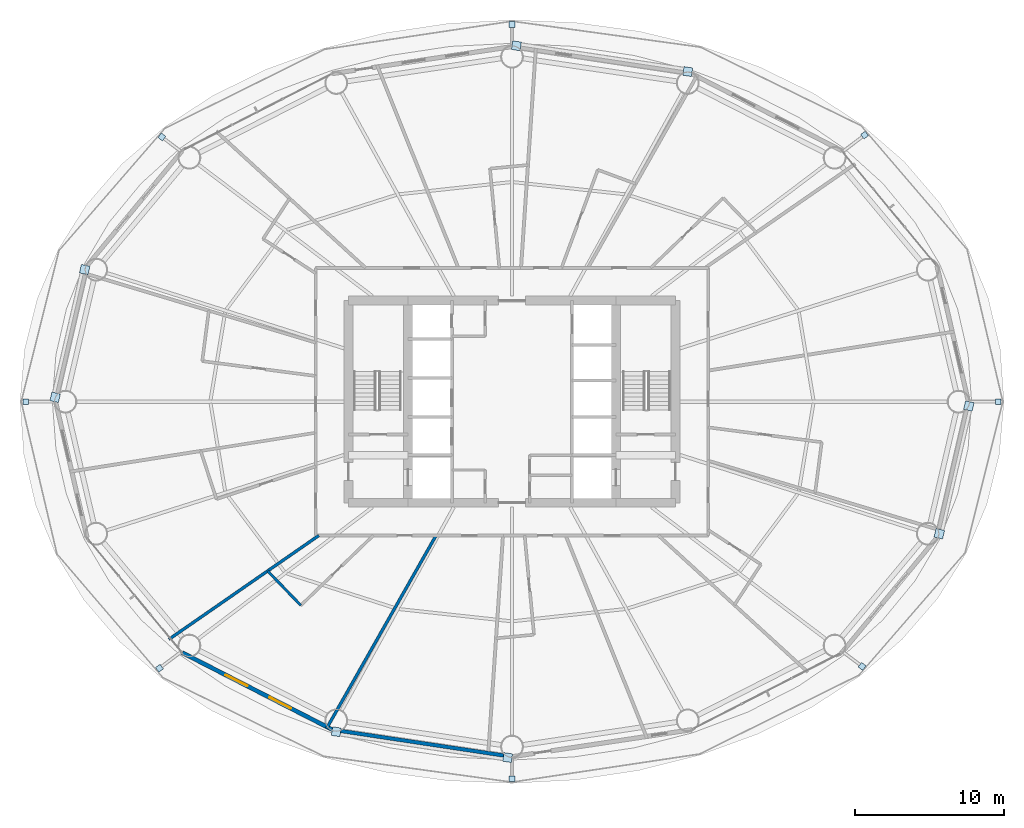
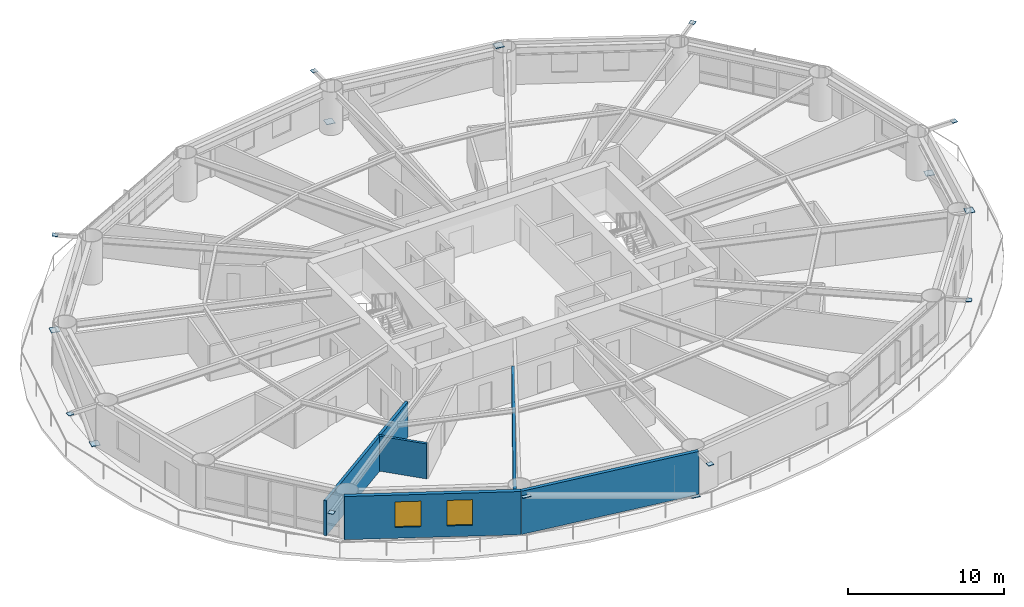
# One storey, part 19 of 26: 16 plates, 5 walls, 2 windows, 2 openings.
"""IFC4 building model written with IfcOpenShell, lengths in metres."""

from ifc_helpers import new_model, si_unit, direction, frame, frame_2d, origin, origin_2d, place, context, subcontext, project, spatial, rectangle, extrude, material, layer, layer_set, type_object, element, fill, save


model = new_model("IFC4")

# Units and contexts
model_context = context("Model", 3, precision=1e-05, world=origin(), true_north=direction((0.0, 1.0)))
body_context = subcontext(model_context, "Body", "Model", "MODEL_VIEW")
ifc_project = project(units=[si_unit("LENGTHUNIT", "METRE"), si_unit("AREAUNIT", "SQUARE_METRE"), si_unit("VOLUMEUNIT", "CUBIC_METRE"), si_unit("PLANEANGLEUNIT", "RADIAN"), si_unit("MASSUNIT", "GRAM", prefix="KILO")], contexts=[model_context])

# Site, building, storey
site_placement = place(None, origin())
site = spatial("IfcSite", under=ifc_project, at=site_placement, CompositionType="ELEMENT")
building_placement = place(site_placement, origin())
building = spatial("IfcBuilding", under=site, at=building_placement, Name="Sarneth Arch Tower", CompositionType="ELEMENT")
storey_placement = place(building_placement, frame((0.0, 0.0, 64.199951171875)))
storey = spatial("IfcBuildingStorey", under=building, at=storey_placement, Name="L15", CompositionType="ELEMENT", Elevation=64.199951171875)

# Plates
ifc_material_1 = material(Name="Steel S355", Category="steel")
ifc_layer_1 = layer(ifc_material_1, 0.035888671875)
ifc_layer_set_1 = layer_set([ifc_layer_1], Name="Steel S355")
plate_type = type_object("IfcPlateType", Name="PLT-GUSSET-30", PredefinedType="SHEET", material=ifc_layer_set_1)
for number, where, z_axis, x_axis, name in (
    (1, (80.71484375, 42.0, 3.2021484375), (0.0, 0.0, 1.0), (1.0, 0.0, 0.0), "Steel end cap plate GP-1"),
    (2, (71.713134765625, 59.929443359375, 3.2021484375), (0.0, 0.0, 1.0), (0.797689196331, 0.603068773902, 0.0), "Steel end cap plate GP-1"),
):
    element("IfcPlate", number, at=place(storey_placement, frame(where, z_axis=z_axis, x_axis=x_axis)), inside=storey, type_object=plate_type, Name=name, PredefinedType="SHEET", context=body_context, shape_type="SweptSolid", body=[
        extrude(rectangle(XDim=0.3798828125, YDim=0.3798828125, at=origin_2d()), origin(), (0.0, 0.0, 1.0), 0.035888671875),
    ])
for number, where, z_axis, x_axis, name in (
    (3, (48.296630859375, 65.935302734375, 0.001953125), (0.0, 0.0, 1.0), (-0.98883454203, 0.149017611339, 0.0), "Steel end cap plate GP-1"),
    (4, (59.819580078125, 64.19921875, 2.98876953125), (0.0, 0.0, 1.0), (-0.98883454203, 0.149017611339, 0.0), "Steel end cap plate GP-1"),
):
    element("IfcPlate", number, at=place(storey_placement, frame(where, z_axis=z_axis, x_axis=x_axis)), inside=storey, type_object=plate_type, Name=name, PredefinedType="SHEET", context=body_context, shape_type="SweptSolid", body=[
        extrude(rectangle(XDim=0.587890625, YDim=0.587890625, at=origin_2d()), origin(), (0.0, 0.0, 1.0), 0.035888671875),
    ])
for number, where, z_axis, x_axis, name in (
    (5, (48.0, 67.3701171875, 3.2021484375), (0.0, 0.0, 1.0), (0.0, 1.0, 0.0), "Steel end cap plate GP-1"),
    (6, (24.451171875, 59.80517578125, 3.2021484375), (0.0, 0.0, 1.0), (-0.797689196331, 0.603068773902, 0.0), "Steel end cap plate GP-1"),
):
    element("IfcPlate", number, at=place(storey_placement, frame(where, z_axis=z_axis, x_axis=x_axis)), inside=storey, type_object=plate_type, Name=name, PredefinedType="SHEET", context=body_context, shape_type="SweptSolid", body=[
        extrude(rectangle(XDim=0.3798828125, YDim=0.3798828125, at=origin_2d()), origin(), (0.0, 0.0, 1.0), 0.035888671875),
    ])
for number, where, z_axis, x_axis, name in (
    (7, (17.274658203125, 42.292236328125, 0.001953125), (0.0, 0.0, 1.0), (-0.225291159947, -0.974291482694, 0.0), "Steel end cap plate GP-1"),
    (8, (19.260986328125, 50.884521484375, 2.98876953125), (0.0, 0.0, 1.0), (-0.225291159947, -0.974291482694, 0.0), "Steel end cap plate GP-1"),
):
    element("IfcPlate", number, at=place(storey_placement, frame(where, z_axis=z_axis, x_axis=x_axis)), inside=storey, type_object=plate_type, Name=name, PredefinedType="SHEET", context=body_context, shape_type="SweptSolid", body=[
        extrude(rectangle(XDim=0.587890625, YDim=0.587890625, at=origin_2d()), origin(), (0.0, 0.0, 1.0), 0.035888671875),
    ])
for number, where, z_axis, x_axis, name in (
    (9, (15.28515625, 42.0, 3.2021484375), (0.0, 0.0, 1.0), (-1.0, 0.0, 0.0), "Steel end cap plate GP-1"),
    (10, (24.286865234375, 24.070556640625, 3.2021484375), (0.0, 0.0, 1.0), (-0.797689196331, -0.603068773902, 0.0), "Steel end cap plate GP-1"),
):
    element("IfcPlate", number, at=place(storey_placement, frame(where, z_axis=z_axis, x_axis=x_axis)), inside=storey, type_object=plate_type, Name=name, PredefinedType="SHEET", context=body_context, shape_type="SweptSolid", body=[
        extrude(rectangle(XDim=0.3798828125, YDim=0.3798828125, at=origin_2d()), origin(), (0.0, 0.0, 1.0), 0.035888671875),
    ])
for number, where, z_axis, x_axis, name in (
    (11, (47.703369140625, 18.064697265625, 0.001953125), (0.0, 0.0, 1.0), (0.98883454203, -0.149017611339, 0.0), "Steel end cap plate GP-1"),
    (12, (36.180419921875, 19.80078125, 2.98876953125), (0.0, 0.0, 1.0), (0.98883454203, -0.149017611339, 0.0), "Steel end cap plate GP-1"),
):
    element("IfcPlate", number, at=place(storey_placement, frame(where, z_axis=z_axis, x_axis=x_axis)), inside=storey, type_object=plate_type, Name=name, PredefinedType="SHEET", context=body_context, shape_type="SweptSolid", body=[
        extrude(rectangle(XDim=0.587890625, YDim=0.587890625, at=origin_2d()), origin(), (0.0, 0.0, 1.0), 0.035888671875),
    ])
for number, where, z_axis, x_axis, name in (
    (13, (48.0, 16.6298828125, 3.2021484375), (0.0, 0.0, 1.0), (0.0, -1.0, 0.0), "Steel end cap plate GP-1"),
    (14, (71.548828125, 24.19482421875, 3.2021484375), (0.0, 0.0, 1.0), (0.797689196331, -0.603068773902, 0.0), "Steel end cap plate GP-1"),
):
    element("IfcPlate", number, at=place(storey_placement, frame(where, z_axis=z_axis, x_axis=x_axis)), inside=storey, type_object=plate_type, Name=name, PredefinedType="SHEET", context=body_context, shape_type="SweptSolid", body=[
        extrude(rectangle(XDim=0.3798828125, YDim=0.3798828125, at=origin_2d()), origin(), (0.0, 0.0, 1.0), 0.035888671875),
    ])
for number, where, z_axis, x_axis, name in (
    (15, (78.725341796875, 41.707763671875, 0.001953125), (0.0, 0.0, 1.0), (0.225291159947, 0.974291482694, 0.0), "Steel end cap plate GP-1"),
    (16, (76.739013671875, 33.115478515625, 2.98876953125), (0.0, 0.0, 1.0), (0.225291159947, 0.974291482694, 0.0), "Steel end cap plate GP-1"),
):
    element("IfcPlate", number, at=place(storey_placement, frame(where, z_axis=z_axis, x_axis=x_axis)), inside=storey, type_object=plate_type, Name=name, PredefinedType="SHEET", context=body_context, shape_type="SweptSolid", body=[
        extrude(rectangle(XDim=0.587890625, YDim=0.587890625, at=origin_2d()), origin(), (0.0, 0.0, 1.0), 0.035888671875),
    ])

# Wall
ifc_material_2 = material(Name="Extruded terracotta rainscreen on Concrete C40/50 backing", Category="masonry")
ifc_layer_2 = layer(ifc_material_2, 0.25)
ifc_layer_set_2 = layer_set([ifc_layer_2], Name="Extruded terracotta rainscreen on Concrete C40/50 backing")
wall_type_1 = type_object("IfcWallType", Name="WALL-EXT-SPAND-250", PredefinedType="SOLIDWALL", material=ifc_layer_set_2)
wall_1_placement = place(storey_placement, frame((35.922119140625, 19.937744140625, 0.0), z_axis=(0.0, 0.0, 1.0), x_axis=(0.988864835849, -0.148816452121, 0.0)))
element("IfcWall", 17, at=wall_1_placement, inside=storey, type_object=wall_type_1, Name="L15 Terracotta perimeter wall 12", PredefinedType="SOLIDWALL", context=body_context, shape_type="SweptSolid", body=[
    extrude(rectangle(XDim=12.2138671875, YDim=0.25, at=frame_2d((6.10693359375, 0.0))), origin(), (0.0, 0.0, 1.0), 3.380126953125),
])

# Wall, openings, windows
ifc_material_3 = material(Name="Extruded terracotta rainscreen on Concrete C40/50 backing", Category="masonry")
ifc_layer_3 = layer(ifc_material_3, 0.280029296875)
ifc_layer_set_3 = layer_set([ifc_layer_3], Name="Extruded terracotta rainscreen on Concrete C40/50 backing")
wall_type_2 = type_object("IfcWallType", Name="WALL-EXT-TERRA-280", PredefinedType="SOLIDWALL", material=ifc_layer_set_3)
wall_2_placement = place(storey_placement, frame((25.825927734375, 25.1142578125, 0.0), z_axis=(0.0, 0.0, 1.0), x_axis=(0.889853976658, -0.456245438581, 0.0)))
wall_2 = element("IfcWall", 18, at=wall_2_placement, inside=storey, type_object=wall_type_2, Name="L15 Terracotta perimeter wall 11", PredefinedType="SOLIDWALL", context=body_context, shape_type="SweptSolid", body=[
    extrude(rectangle(XDim=11.345947265625, YDim=0.280029296875, at=frame_2d((5.6728515625, 0.0))), origin(), (0.0, 0.0, 1.0), 3.380126953125),
])
opening_1_placement = place(wall_2_placement, frame((3.26708984375, 0.0, 0.85009765625)))
opening_1 = element("IfcOpeningElement", 19, at=opening_1_placement, cuts=wall_2, Name="Opening W-05", PredefinedType="OPENING", context=body_context, shape_type="SweptSolid", body=[
    extrude(rectangle(XDim=1.64990234375, YDim=2.0, at=frame_2d((0.824951171875, 1.0))), frame((0.0, 0.14990234375, 0.0), z_axis=(0.0, -1.0, 0.0), x_axis=(1.0, 0.0, 0.0)), (0.0, 0.0, 1.0), 0.300048828125),
])
opening_2_placement = place(wall_2_placement, frame((6.5791015625, 0.0, 0.85009765625)))
opening_2 = element("IfcOpeningElement", 20, at=opening_2_placement, cuts=wall_2, Name="Opening W-05", PredefinedType="OPENING", context=body_context, shape_type="SweptSolid", body=[
    extrude(rectangle(XDim=1.64990234375, YDim=2.0, at=frame_2d((0.824951171875, 1.0))), frame((0.0, 0.14990234375, 0.0), z_axis=(0.0, -1.0, 0.0), x_axis=(1.0, 0.0, 0.0)), (0.0, 0.0, 1.0), 0.300048828125),
])
ifc_material_4 = material(Name="Thermally broken Aluminium 6063-T6 and low-e laminated IGU", Category="aluminium")
window_type = type_object("IfcWindowType", Name="WIN-TWR-1650x2000", PartitioningType="DOUBLE_PANEL_VERTICAL", PredefinedType="WINDOW", material=ifc_material_4)
window_1_placement = place(opening_1_placement, origin())
window_1 = element("IfcWindow", 21, at=window_1_placement, inside=storey, type_object=window_type, Name="L15 Exterior window 11A", OverallHeight=2.0, OverallWidth=1.64990234375, PartitioningType="SINGLE_PANEL", PredefinedType="WINDOW", context=body_context, shape_type="SweptSolid", body=[
    extrude(rectangle(XDim=1.64990234375, YDim=2.0, at=frame_2d((0.824951171875, 1.0))), frame((0.0, 0.030029296875, 0.0), z_axis=(0.0, -1.0, 0.0), x_axis=(1.0, 0.0, 0.0)), (0.0, 0.0, 1.0), 0.06005859375),
])
fill(opening_1, window_1)
window_2_placement = place(opening_2_placement, origin())
window_2 = element("IfcWindow", 22, at=window_2_placement, inside=storey, type_object=window_type, Name="L15 Exterior window 11B", OverallHeight=2.0, OverallWidth=1.64990234375, PartitioningType="SINGLE_PANEL", PredefinedType="WINDOW", context=body_context, shape_type="SweptSolid", body=[
    extrude(rectangle(XDim=1.64990234375, YDim=2.0, at=frame_2d((0.824951171875, 1.0))), frame((0.0, 0.030029296875, 0.0), z_axis=(0.0, -1.0, 0.0), x_axis=(1.0, 0.0, 0.0)), (0.0, 0.0, 1.0), 0.06005859375),
])
fill(opening_2, window_2)

# Walls
ifc_material_5 = material(Name="Moisture-resistant plumbing chase wall", Category="gypsum")
ifc_layer_4 = layer(ifc_material_5, 0.179931640625)
ifc_layer_set_4 = layer_set([ifc_layer_4], Name="Moisture-resistant plumbing chase wall")
wall_type_3 = type_object("IfcWallType", Name="WALL-PLUMB-180", PredefinedType="PLUMBINGWALL", material=ifc_layer_set_4)
wall_3_placement = place(storey_placement, frame((31.56494140625, 30.61376953125, 0.0), z_axis=(0.0, 0.0, 1.0), x_axis=(0.694278833189, -0.719706121821, 0.0)))
element("IfcWall", 23, at=wall_3_placement, inside=storey, type_object=wall_type_3, Name="L15 Interior partition W-L15-TP-057", PredefinedType="PLUMBINGWALL", context=body_context, shape_type="SweptSolid", body=[
    extrude(rectangle(XDim=3.216552734375, YDim=0.179931640625, at=frame_2d((1.6083984375, 0.0))), origin(), (0.0, 0.0, 1.0), 2.739990234375),
])
ifc_material_6 = material(Name="Double steel-stud acoustic drywall", Category="steel")
ifc_layer_5 = layer(ifc_material_6, 0.199951171875)
ifc_layer_set_5 = layer_set([ifc_layer_5], Name="Double steel-stud acoustic drywall")
wall_type_4 = type_object("IfcWallType", Name="WALL-UNIT-200", PredefinedType="PARTITIONING", material=ifc_layer_set_5)
wall_4_placement = place(storey_placement, frame((42.893310546875, 33.0, 0.0), z_axis=(0.0, 0.0, 1.0), x_axis=(-0.493512300658, -0.869738816599, 0.0)))
element("IfcWall", 24, at=wall_4_placement, inside=storey, type_object=wall_type_4, Name="L15 Interior partition W-L15-TP-059", PredefinedType="PARTITIONING", context=body_context, shape_type="SweptSolid", body=[
    extrude(rectangle(XDim=14.9375, YDim=0.199951171875, at=frame_2d((7.46875, 0.0))), origin(), (0.0, 0.0, 1.0), 2.739990234375),
])
wall_5_placement = place(storey_placement, frame((35.00927734375, 33.0, 0.0), z_axis=(0.0, 0.0, 1.0), x_axis=(-0.821999402566, -0.569488351226, 0.0)))
element("IfcWall", 25, at=wall_5_placement, inside=storey, type_object=wall_type_4, Name="L15 Interior partition W-L15-TP-055", PredefinedType="PARTITIONING", context=body_context, shape_type="SweptSolid", body=[
    extrude(rectangle(XDim=12.266357421875, YDim=0.199951171875, at=frame_2d((6.13330078125, 0.0))), origin(), (0.0, 0.0, 1.0), 2.739990234375),
])

save(model, "model.ifc")
